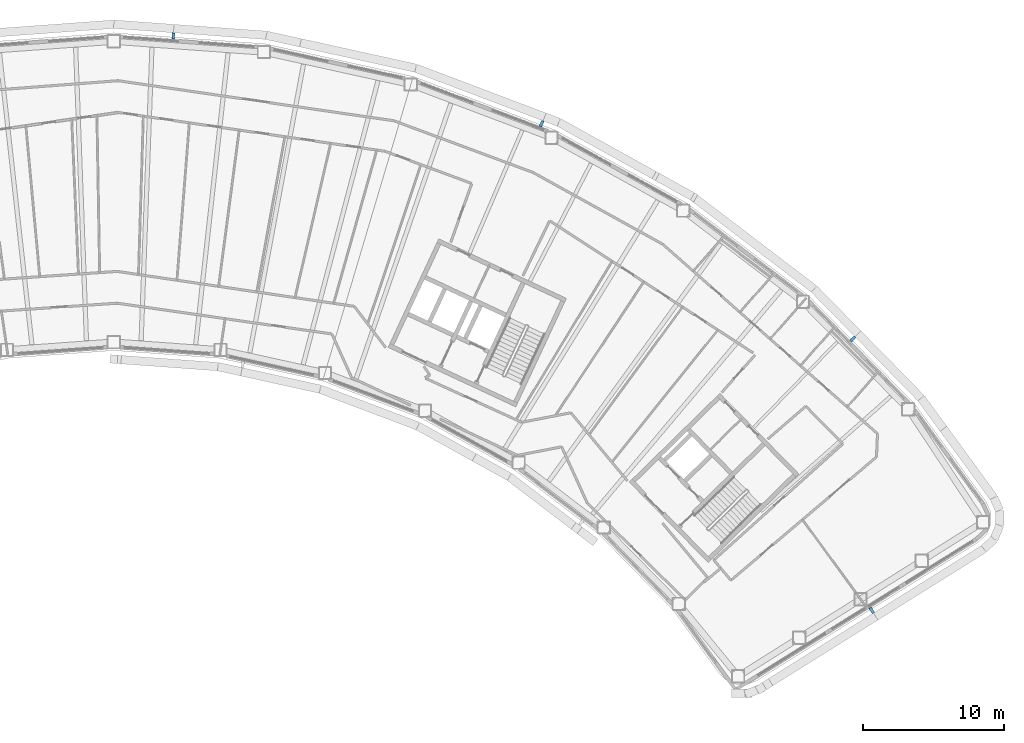
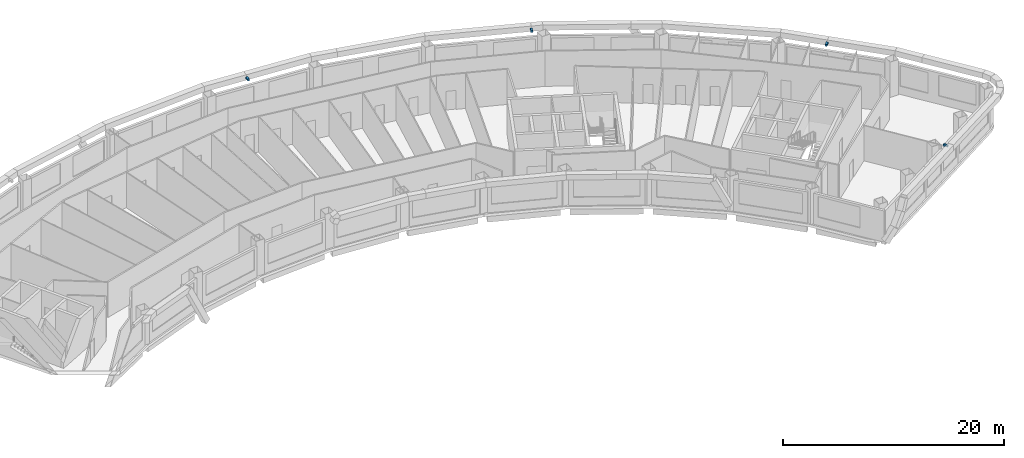
# One storey, part 14 of 17: 4 discrete accessories.
"""IFC4 building model written with IfcOpenShell, lengths in metres."""

from ifc_helpers import new_model, si_unit, direction, frame, origin, origin_2d, place, context, subcontext, project, spatial, rectangle, extrude, material, type_object, element, save


model = new_model("IFC4")

# Units and contexts
model_context = context("Model", 3, precision=1e-05, world=origin(), true_north=direction((0.0, 1.0)))
body_context = subcontext(model_context, "Body", "Model", "MODEL_VIEW")
ifc_project = project(units=[si_unit("LENGTHUNIT", "METRE"), si_unit("AREAUNIT", "SQUARE_METRE"), si_unit("VOLUMEUNIT", "CUBIC_METRE"), si_unit("PLANEANGLEUNIT", "RADIAN"), si_unit("MASSUNIT", "GRAM", prefix="KILO")], contexts=[model_context])

# Site, building, storey
site_placement = place(None, origin())
site = spatial("IfcSite", under=ifc_project, at=site_placement, CompositionType="ELEMENT")
building_placement = place(site_placement, origin())
building = spatial("IfcBuilding", under=site, at=building_placement, Name="Tuul Gate Civic Tower", CompositionType="ELEMENT")
storey_placement = place(building_placement, frame((0.0, 0.0, 222.10009765625)))
storey = spatial("IfcBuildingStorey", under=building, at=storey_placement, Name="Level 50", CompositionType="ELEMENT", Elevation=222.10009765625)

# Discrete accessories
ifc_material = material(Name="Stainless steel", Category="steel")
discrete_accessory_type = type_object("IfcDiscreteAccessoryType", Name="Screen bracket", PredefinedType="BRACKET", material=ifc_material)
discrete_accessory_1_placement = place(storey_placement, frame((58.375244140625, -2.5703125, 3.75), z_axis=(0.0, 0.0, 1.0), x_axis=(0.704916517246, 0.7092902817, 0.0)))
element("IfcDiscreteAccessory", 1, at=discrete_accessory_1_placement, inside=storey, type_object=discrete_accessory_type, Name="Screen bracket 3", PredefinedType="BRACKET", context=body_context, shape_type="SweptSolid", body=[
    extrude(rectangle(XDim=0.449951171875, YDim=0.199951171875, at=origin_2d()), origin(), (0.0, 0.0, 1.0), 0.199951171875),
])
discrete_accessory_2_placement = place(storey_placement, frame((36.294921875, 12.708984375, 3.75), z_axis=(0.0, 0.0, 1.0), x_axis=(0.40738547651, 0.913256302211, 0.0)))
element("IfcDiscreteAccessory", 2, at=discrete_accessory_2_placement, inside=storey, type_object=discrete_accessory_type, Name="Screen bracket 6", PredefinedType="BRACKET", context=body_context, shape_type="SweptSolid", body=[
    extrude(rectangle(XDim=0.45068359375, YDim=0.199951171875, at=origin_2d()), origin(), (0.0, 0.0, 1.0), 0.199951171875),
])
discrete_accessory_3_placement = place(storey_placement, frame((10.166015625, 18.93603515625, 3.75), z_axis=(0.0, 0.0, 1.0), x_axis=(0.056828703768, 0.998383943395, 0.0)))
element("IfcDiscreteAccessory", 3, at=discrete_accessory_3_placement, inside=storey, type_object=discrete_accessory_type, Name="Screen bracket 9", PredefinedType="BRACKET", context=body_context, shape_type="SweptSolid", body=[
    extrude(rectangle(XDim=0.4501953125, YDim=0.199951171875, at=origin_2d()), origin(), (0.0, 0.0, 1.0), 0.199951171875),
])
discrete_accessory_4_placement = place(storey_placement, frame((59.719970703125, -21.815185546875, 3.75), z_axis=(0.0, 0.0, 1.0), x_axis=(0.536424954277, -0.84394802472, 0.0)))
element("IfcDiscreteAccessory", 4, at=discrete_accessory_4_placement, inside=storey, type_object=discrete_accessory_type, Name="Screen bracket 33", PredefinedType="BRACKET", context=body_context, shape_type="SweptSolid", body=[
    extrude(rectangle(XDim=0.449951171875, YDim=0.199951171875, at=origin_2d()), origin(), (0.0, 0.0, 1.0), 0.199951171875),
])

save(model, "model.ifc")
